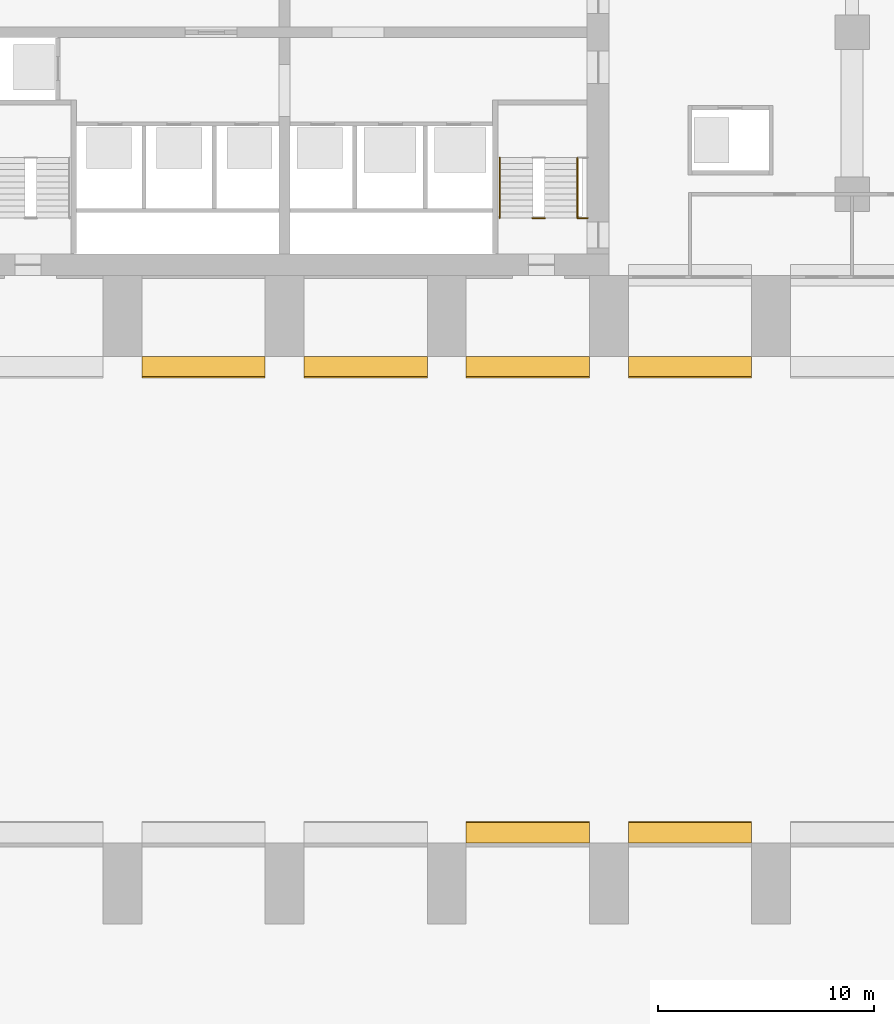
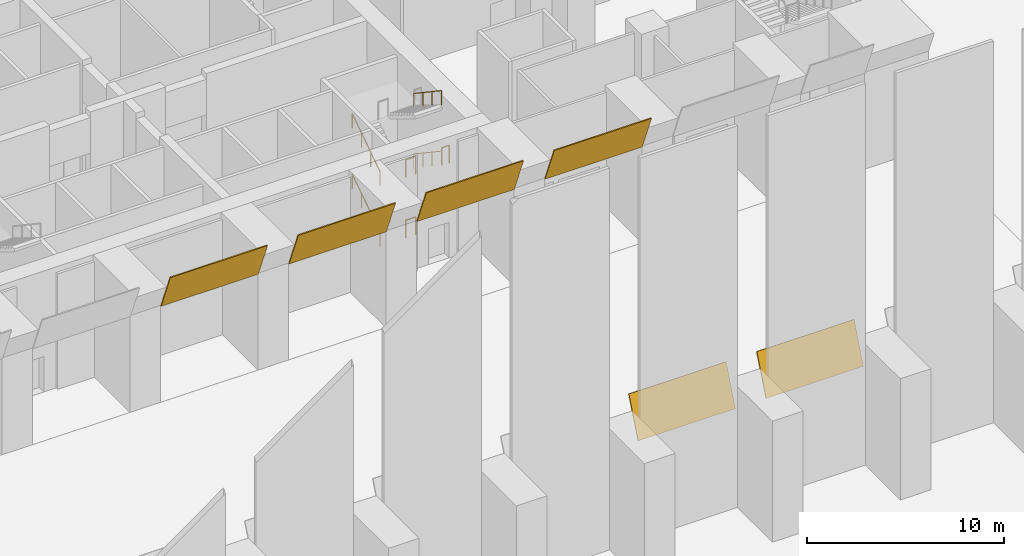
# One storey, part 18 of 21: 7 railings, 6 coverings.
"""IFC4 building model written with IfcOpenShell, lengths in metres."""

import ifcopenshell
import ifcopenshell.guid

model = None  # the IFC model being written
_history = None  # IfcOwnerHistory: only IFC2X3 demands one
_inside = {}  # id of a spatial element -> (the spatial element, [elements in it])
_under = {}  # id of a project, library or spatial element -> (it, [spatial elements below it])
_declared = {}  # id of a project -> (the project, [libraries it declares])
_typed = {}  # id of a type object -> (the type object, [elements of that type])
_made_of = {}  # id of a material, layer set ... -> (it, [elements and type objects made of it])


def new_model(schema):
    """Start an empty IFC model of exactly this schema.

    Asked for "IFC4X3", IfcOpenShell would pick the latest addendum, in which some entities
    have other attributes; the version numbers below select the first issue.
    IFC2X3 requires an IfcOwnerHistory on every rooted entity: one is made here for all.
    """
    global model, _history
    if schema == "IFC4X3":
        model = ifcopenshell.file(schema_version=(4, 3, 0, 0))
    else:
        model = ifcopenshell.file(schema=schema)
    _inside.clear()
    _under.clear()
    _declared.clear()
    _typed.clear()
    _made_of.clear()
    _history = None
    if model.schema == "IFC2X3":
        org = make("IfcOrganization", Name="unknown")
        user = make(
            "IfcPersonAndOrganization",
            ThePerson=make("IfcPerson", FamilyName="unknown"),
            TheOrganization=org,
        )
        app = make(
            "IfcApplication",
            ApplicationDeveloper=org,
            Version="unknown",
            ApplicationFullName="unknown",
            ApplicationIdentifier="unknown",
        )
        _history = make(
            "IfcOwnerHistory",
            OwningUser=user,
            OwningApplication=app,
            ChangeAction="ADDED",
            CreationDate=0,
        )
    return model


def make(cls, **values):
    """One entity of the class cls with the attributes given. An attribute that is None is left unset."""
    return model.create_entity(
        cls, **{name: value for name, value in values.items() if value is not None}
    )


def rooted(cls, **values):
    """An entity with a GlobalId (a new one), such as an element, a storey or a relation."""
    return make(cls, GlobalId=ifcopenshell.guid.new(), OwnerHistory=_history, **values)


def si_unit(unit_type, name, prefix=None):
    """IfcSIUnit, for example si_unit("LENGTHUNIT", "METRE", prefix="MILLI")."""
    return make("IfcSIUnit", UnitType=unit_type, Prefix=prefix, Name=name)


def assignment(units):
    """IfcUnitAssignment: the units of a project."""
    return None if units is None else make("IfcUnitAssignment", Units=units)


def point(xyz):
    """IfcCartesianPoint."""
    return None if xyz is None else make("IfcCartesianPoint", Coordinates=xyz)


def direction(xyz):
    """IfcDirection."""
    return None if xyz is None else make("IfcDirection", DirectionRatios=xyz)


def frame(location, z_axis=None, x_axis=None):
    """IfcAxis2Placement3D, a coordinate frame: its origin and axes. An axis left out is left unset."""
    return make(
        "IfcAxis2Placement3D",
        Location=point(location),
        Axis=direction(z_axis),
        RefDirection=direction(x_axis),
    )


def frame_2d(location, x_axis=None):
    """IfcAxis2Placement2D, a coordinate frame in the plane: its origin and x axis."""
    return make(
        "IfcAxis2Placement2D", Location=point(location), RefDirection=direction(x_axis)
    )


def origin():
    """The frame at (0, 0, 0) with its axes left unset."""
    return frame((0.0, 0.0, 0.0))


def origin_2d():
    """The frame at (0, 0) in the plane with its x axis left unset."""
    return frame_2d((0.0, 0.0))


def place(relative_to, where):
    """IfcLocalPlacement: puts the frame where relative to a parent placement (None: the world)."""
    return make(
        "IfcLocalPlacement", PlacementRelTo=relative_to, RelativePlacement=where
    )


def context(
    kind, dimensions, precision=None, world=None, true_north=None, identifier=None
):
    """IfcGeometricRepresentationContext, for example the 3D "Model" context."""
    return make(
        "IfcGeometricRepresentationContext",
        ContextIdentifier=identifier,
        ContextType=kind,
        CoordinateSpaceDimension=dimensions,
        Precision=precision,
        WorldCoordinateSystem=world,
        TrueNorth=true_north,
    )


def subcontext(parent, identifier, kind, view, scale=None):
    """IfcGeometricRepresentationSubContext, for example "Body" below "Model"."""
    return make(
        "IfcGeometricRepresentationSubContext",
        ContextIdentifier=identifier,
        ContextType=kind,
        ParentContext=parent,
        TargetScale=scale,
        TargetView=view,
    )


def project(units=None, contexts=None):
    """IfcProject with its units and contexts."""
    return rooted(
        "IfcProject",
        Name="project",
        RepresentationContexts=contexts,
        UnitsInContext=assignment(units),
    )


def spatial(cls, under=None, at=None, **own):
    """A site, building, storey or space (cls), placed at a placement, below another one or the project."""
    s = rooted(cls, ObjectPlacement=at, **own)
    if under is not None:
        _under.setdefault(under.id(), (under, []))[1].append(s)
    return s


def polyline(points):
    """IfcPolyline through the points."""
    return make("IfcPolyline", Points=[point(p) for p in points])


def profile(cls, at=None, kind="AREA", **sizes):
    """A parametric profile (cls). Its sizes go by their IFC names, for example OverallWidth=200.0."""
    return make(cls, ProfileType=kind, Position=at, **sizes)


def circle(**sizes):
    """IfcCircleProfileDef."""
    return profile("IfcCircleProfileDef", **sizes)


def outline(outer, holes=None, kind="AREA"):
    """IfcArbitraryClosedProfileDef: a profile drawn as a closed curve; with holes, ...WithVoids."""
    if holes is None:
        return make("IfcArbitraryClosedProfileDef", ProfileType=kind, OuterCurve=outer)
    return make(
        "IfcArbitraryProfileDefWithVoids",
        ProfileType=kind,
        OuterCurve=outer,
        InnerCurves=holes,
    )


def extrude(swept, where, along, depth):
    """IfcExtrudedAreaSolid: the profile swept, set in the frame where, extruded along a direction by depth."""
    return make(
        "IfcExtrudedAreaSolid",
        SweptArea=swept,
        Position=where,
        ExtrudedDirection=direction(along),
        Depth=depth,
    )


def shape(context_of_items, identifier, shape_type, items):
    """IfcShapeRepresentation: the items that make up one representation, for example the "Body"."""
    return make(
        "IfcShapeRepresentation",
        ContextOfItems=context_of_items,
        RepresentationIdentifier=identifier,
        RepresentationType=shape_type,
        Items=items,
    )


def material(Name=None, Category=None):
    """IfcMaterial."""
    return make("IfcMaterial", Name=Name, Category=Category)


def layer(
    of_material, thickness, ventilated=None, Name=None, Category=None, Priority=None
):
    """IfcMaterialLayer: one layer of a wall or slab, of a material (None: an air gap)."""
    return make(
        "IfcMaterialLayer",
        Material=of_material,
        LayerThickness=thickness,
        IsVentilated=ventilated,
        Name=Name,
        Category=Category,
        Priority=Priority,
    )


def layer_set(layers, Name=None):
    """IfcMaterialLayerSet."""
    return make("IfcMaterialLayerSet", MaterialLayers=layers, LayerSetName=Name)


def made_of(thing, what):
    """Note that an element or type object is made of a material, layer set ...; save() writes the relation."""
    if what is not None:
        _made_of.setdefault(what.id(), (what, []))[1].append(thing)
    return thing


def type_object(cls, material=None, **own):
    """A type object (cls), such as IfcWallType, which elements share."""
    return made_of(rooted(cls, **own), material)


def element(
    cls,
    number,
    at=None,
    inside=None,
    cuts=None,
    type_object=None,
    material=None,
    context=None,
    identifier="Body",
    shape_type=None,
    held_by="IfcProductDefinitionShape",
    body=None,
    shapes=None,
    **own,
):
    """One element of the class cls, such as IfcWall. Its Tag is "e" and its number.

    at: its placement. inside: the storey or other place that contains it. cuts: it is an
    opening in that element (IfcRelVoidsElement). A single representation is given by context,
    identifier, shape_type and body (its items); several are given by shapes. held_by: the class
    of the entity that holds the representations. save() writes the other relations.
    """
    e = rooted(cls, Tag="e%d" % number, ObjectPlacement=at, **own)
    if body is not None:
        shapes = [shape(context, identifier, shape_type, body)]
    if shapes is not None:
        e.Representation = make(held_by, Representations=shapes)
    if inside is not None:
        _inside.setdefault(inside.id(), (inside, []))[1].append(e)
    if cuts is not None:
        rooted(
            "IfcRelVoidsElement", RelatingBuildingElement=cuts, RelatedOpeningElement=e
        )
    if type_object is not None:
        _typed.setdefault(type_object.id(), (type_object, []))[1].append(e)
    return made_of(e, material)


def aggregate(whole, parts):
    """IfcRelAggregates: a whole, such as a stair, and the parts it consists of."""
    return rooted("IfcRelAggregates", RelatingObject=whole, RelatedObjects=parts)


def save(model, path):
    """Write the relations noted so far, then the file.

    IfcRelAggregates (storeys below a building ...), IfcRelContainedInSpatialStructure (elements
    in a storey), IfcRelDefinesByType, IfcRelAssociatesMaterial and IfcRelDeclares: one each for
    every whole, place, type object, material and project.
    """
    for whole, parts in _under.values():
        aggregate(whole, parts)
    for where, things in _inside.values():
        rooted(
            "IfcRelContainedInSpatialStructure",
            RelatedElements=things,
            RelatingStructure=where,
        )
    for kind, things in _typed.values():
        rooted("IfcRelDefinesByType", RelatedObjects=things, RelatingType=kind)
    for what, things in _made_of.values():
        rooted("IfcRelAssociatesMaterial", RelatedObjects=things, RelatingMaterial=what)
    for by, libraries in _declared.values():
        rooted("IfcRelDeclares", RelatingContext=by, RelatedDefinitions=libraries)
    model.write(path)


model = new_model("IFC4")

# Units and contexts
model_context = context("Model", 3, precision=1e-05, world=origin(), true_north=direction((0.0, 1.0)))
body_context = subcontext(model_context, "Body", "Model", "MODEL_VIEW")
ifc_project = project(units=[si_unit("LENGTHUNIT", "METRE"), si_unit("AREAUNIT", "SQUARE_METRE"), si_unit("VOLUMEUNIT", "CUBIC_METRE"), si_unit("PLANEANGLEUNIT", "RADIAN"), si_unit("MASSUNIT", "GRAM", prefix="KILO")], contexts=[model_context])

# Site, building, storey
site_placement = place(None, origin())
site = spatial("IfcSite", under=ifc_project, at=site_placement, CompositionType="ELEMENT")
building_placement = place(site_placement, origin())
building = spatial("IfcBuilding", under=site, at=building_placement, Name="Pilkhan Gate Tower", CompositionType="ELEMENT")
storey_placement = place(building_placement, origin())
storey = spatial("IfcBuildingStorey", under=building, at=storey_placement, Name="L00", CompositionType="ELEMENT", Elevation=0.0)

# Coverings
ifc_material_1 = material(Name="Concrete C40/50 precast", Category="concrete")
ifc_layer = layer(ifc_material_1, 0.06005859375)
ifc_layer_set = layer_set([ifc_layer], Name="Arch soffit panel ARC")
covering_type = type_object("IfcCoveringType", Name="Arch soffit panel ARC", PredefinedType="CLADDING", material=ifc_layer_set)
for number, where, z_axis, x_axis, name in (
    (1, (68.39990234375, 66.5625, 8.33984375), (0.0, 0.928262787114, 0.371924989829), (1.0, 0.0, 0.0), "Arch soffit panel ARC-5.24"),
    (2, (75.89990234375, 66.5625, 8.33984375), (0.0, 0.928262787114, 0.371924989829), (1.0, 0.0, 0.0), "Arch soffit panel ARC-6.24"),
    (3, (83.39990234375, 45.0, 6.0), (0.0, -0.928262787114, 0.371924989829), (1.0, 0.0, 0.0), "Arch soffit panel ARC-7.1"),
    (4, (83.39990234375, 66.5625, 8.33984375), (0.0, 0.928262787114, 0.371924989829), (1.0, 0.0, 0.0), "Arch soffit panel ARC-7.24"),
    (5, (90.89990234375, 45.0, 6.0), (0.0, -0.928262787114, 0.371924989829), (1.0, 0.0, 0.0), "Arch soffit panel ARC-8.1"),
    (6, (90.89990234375, 66.5625, 8.33984375), (0.0, 0.928262787114, 0.371924989829), (1.0, 0.0, 0.0), "Arch soffit panel ARC-8.24"),
):
    element("IfcCovering", number, at=place(storey_placement, frame(where, z_axis=z_axis, x_axis=x_axis)), inside=storey, type_object=covering_type, Name=name, PredefinedType="CLADDING", context=body_context, shape_type="SweptSolid", body=[
        extrude(outline(polyline([(0.0, 0.0), (5.7001953125, 0.0), (5.7001953125, 2.52066955875102), (0.0, 2.52066955875102), (0.0, 0.0)])), origin(), (0.0, 0.0, -1.0), 0.06005859375),
    ])

# Railings
ifc_material_2 = material(Name="Black powder-coated steel tube", Category="steel")
railing_type_1 = type_object("IfcRailingType", Name="Stair handrail HR1", PredefinedType="HANDRAIL", material=ifc_material_2)
railing_1_placement = place(storey_placement, frame((84.949951171875, 73.89990234375, 0.0)))
element("IfcRailing", 7, at=railing_1_placement, inside=storey, type_object=railing_type_1, Name="Stair ST1 handrail L00", PredefinedType="HANDRAIL", context=body_context, shape_type="SweptSolid", body=[
    extrude(circle(Radius=0.02392578125, at=origin_2d()), frame((0.0, 0.0, 0.8759765625), z_axis=(0.0, 0.830911662861, 0.55640435703), x_axis=(-1.0, 0.0, 0.0)), (0.0, 0.0, 1.0), 3.369873046875),
    extrude(circle(Radius=0.02099609375, at=origin_2d()), origin(), (0.0, 0.0, 1.0), 0.851806640625),
    extrude(circle(Radius=0.02099609375, at=origin_2d()), frame((0.0, 0.933349609375, 0.625)), (0.0, 0.0, 1.0), 0.851806640625),
    extrude(circle(Radius=0.02099609375, at=origin_2d()), frame((0.0, 1.86669921875, 1.25)), (0.0, 0.0, 1.0), 0.851806640625),
    extrude(circle(Radius=0.02099609375, at=origin_2d()), frame((0.0, 2.800048828125, 1.875)), (0.0, 0.0, 1.0), 0.851806640625),
])
railing_2_placement = place(storey_placement, frame((88.550048828125, 76.699951171875, 1.875)))
element("IfcRailing", 8, at=railing_2_placement, inside=storey, type_object=railing_type_1, Name="Stair ST1 handrail L00", PredefinedType="HANDRAIL", context=body_context, shape_type="SweptSolid", body=[
    extrude(circle(Radius=0.02392578125, at=origin_2d()), frame((0.0, 0.0, 0.8759765625), z_axis=(0.0, -0.830911662861, 0.55640435703), x_axis=(1.0, 0.0, 0.0)), (0.0, 0.0, 1.0), 3.369873046875),
    extrude(circle(Radius=0.02099609375, at=origin_2d()), origin(), (0.0, 0.0, 1.0), 0.851806640625),
    extrude(circle(Radius=0.02099609375, at=origin_2d()), frame((0.0, -0.933349609375, 0.625)), (0.0, 0.0, 1.0), 0.851806640625),
    extrude(circle(Radius=0.02099609375, at=origin_2d()), frame((0.0, -1.86669921875, 1.25)), (0.0, 0.0, 1.0), 0.851806640625),
    extrude(circle(Radius=0.02099609375, at=origin_2d()), frame((0.0, -2.800048828125, 1.875)), (0.0, 0.0, 1.0), 0.851806640625),
])
railing_3_placement = place(storey_placement, frame((84.949951171875, 73.89990234375, 3.75)))
element("IfcRailing", 9, at=railing_3_placement, inside=storey, type_object=railing_type_1, Name="Stair ST1 handrail L00", PredefinedType="HANDRAIL", context=body_context, shape_type="SweptSolid", body=[
    extrude(circle(Radius=0.02392578125, at=origin_2d()), frame((0.0, 0.0, 0.8759765625), z_axis=(0.0, 0.830911662861, 0.55640435703), x_axis=(-1.0, 0.0, 0.0)), (0.0, 0.0, 1.0), 3.369873046875),
    extrude(circle(Radius=0.02099609375, at=origin_2d()), origin(), (0.0, 0.0, 1.0), 0.851806640625),
    extrude(circle(Radius=0.02099609375, at=origin_2d()), frame((0.0, 0.933349609375, 0.625)), (0.0, 0.0, 1.0), 0.851806640625),
    extrude(circle(Radius=0.02099609375, at=origin_2d()), frame((0.0, 1.86669921875, 1.25)), (0.0, 0.0, 1.0), 0.851806640625),
    extrude(circle(Radius=0.02099609375, at=origin_2d()), frame((0.0, 2.800048828125, 1.875)), (0.0, 0.0, 1.0), 0.851806640625),
])
railing_4_placement = place(storey_placement, frame((88.550048828125, 76.699951171875, 5.625)))
element("IfcRailing", 10, at=railing_4_placement, inside=storey, type_object=railing_type_1, Name="Stair ST1 handrail L00", PredefinedType="HANDRAIL", context=body_context, shape_type="SweptSolid", body=[
    extrude(circle(Radius=0.02392578125, at=origin_2d()), frame((0.0, 0.0, 0.8759765625), z_axis=(0.0, -0.830911662861, 0.55640435703), x_axis=(1.0, 0.0, 0.0)), (0.0, 0.0, 1.0), 3.369873046875),
    extrude(circle(Radius=0.02099609375, at=origin_2d()), origin(), (0.0, 0.0, 1.0), 0.851806640625),
    extrude(circle(Radius=0.02099609375, at=origin_2d()), frame((0.0, -0.933349609375, 0.625)), (0.0, 0.0, 1.0), 0.851806640625),
    extrude(circle(Radius=0.02099609375, at=origin_2d()), frame((0.0, -1.86669921875, 1.25)), (0.0, 0.0, 1.0), 0.851806640625),
    extrude(circle(Radius=0.02099609375, at=origin_2d()), frame((0.0, -2.800048828125, 1.875)), (0.0, 0.0, 1.0), 0.851806640625),
])
ifc_material_3 = material(Name="Black powder-coated steel balusters", Category="steel")
railing_type_2 = type_object("IfcRailingType", Name="Stair well guard G3", PredefinedType="GUARDRAIL", material=ifc_material_3)
railing_5_placement = place(storey_placement, frame((88.580078125, 73.89990234375, 3.75)))
element("IfcRailing", 11, at=railing_5_placement, inside=storey, type_object=railing_type_2, Name="Stair ST1 well guard L00", PredefinedType="GUARDRAIL", context=body_context, shape_type="SweptSolid", body=[
    extrude(circle(Radius=0.02392578125, at=origin_2d()), frame((0.0, 0.0, 1.076171875), z_axis=(1.0, 0.0, 0.0), x_axis=(0.0, 1.0, 0.0)), (0.0, 0.0, 1.0), 0.43994140625),
    extrude(circle(Radius=0.02099609375, at=origin_2d()), origin(), (0.0, 0.0, 1.0), 1.052001953125),
    extrude(circle(Radius=0.02099609375, at=origin_2d()), frame((0.43994140625, 0.0, 0.0)), (0.0, 0.0, 1.0), 1.052001953125),
])
for number, where, name in (
    (12, (86.4599609375, 73.89990234375, 0.0), "Stair ST1 well guard L00"),
    (13, (86.4599609375, 73.89990234375, 3.75), "Stair ST1 well guard L00"),
):
    element("IfcRailing", number, at=place(storey_placement, frame(where)), inside=storey, type_object=railing_type_2, Name=name, PredefinedType="GUARDRAIL", context=body_context, shape_type="SweptSolid", body=[
        extrude(circle(Radius=0.02392578125, at=origin_2d()), frame((0.0, 0.0, 1.076171875), z_axis=(1.0, 0.0, 0.0), x_axis=(0.0, 1.0, 0.0)), (0.0, 0.0, 1.0), 0.580078125),
        extrude(circle(Radius=0.02099609375, at=origin_2d()), origin(), (0.0, 0.0, 1.0), 1.052001953125),
        extrude(circle(Radius=0.02099609375, at=origin_2d()), frame((0.580078125, 0.0, 0.0)), (0.0, 0.0, 1.0), 1.052001953125),
    ])

save(model, "model.ifc")
